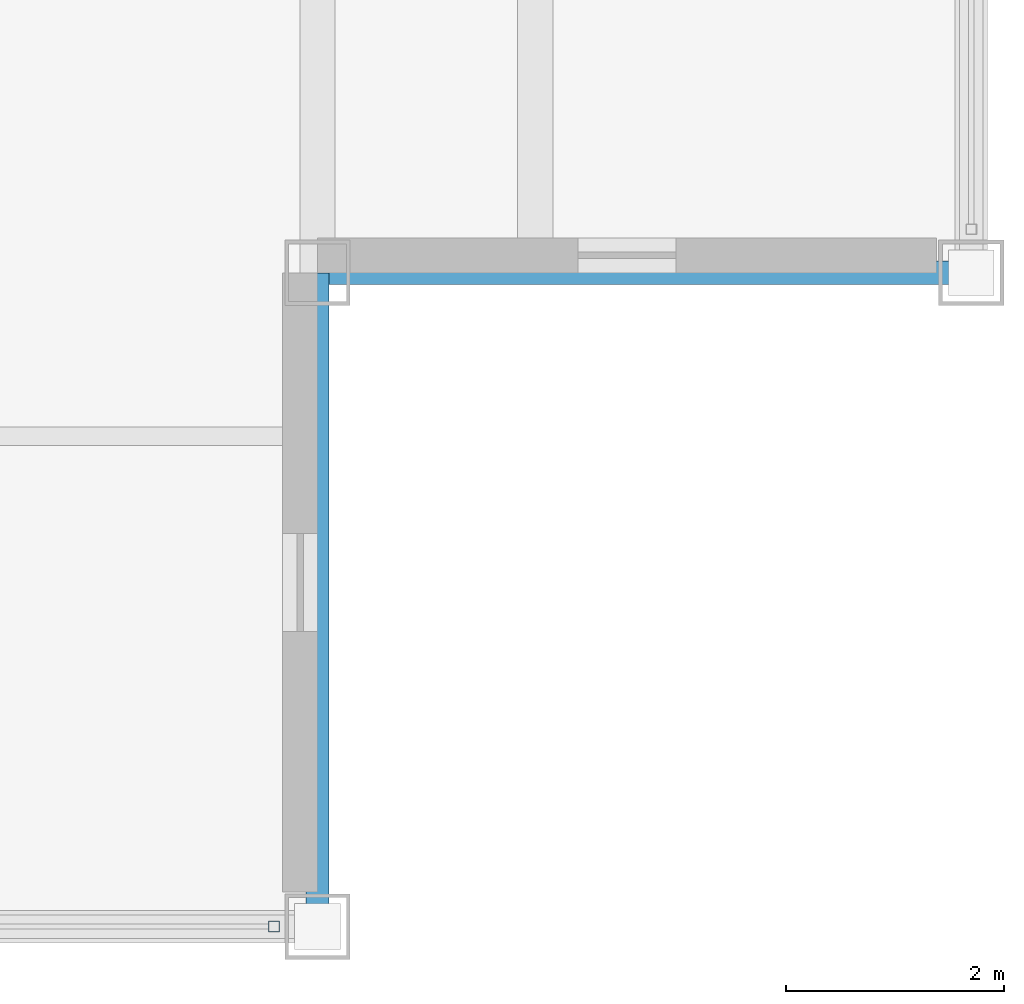
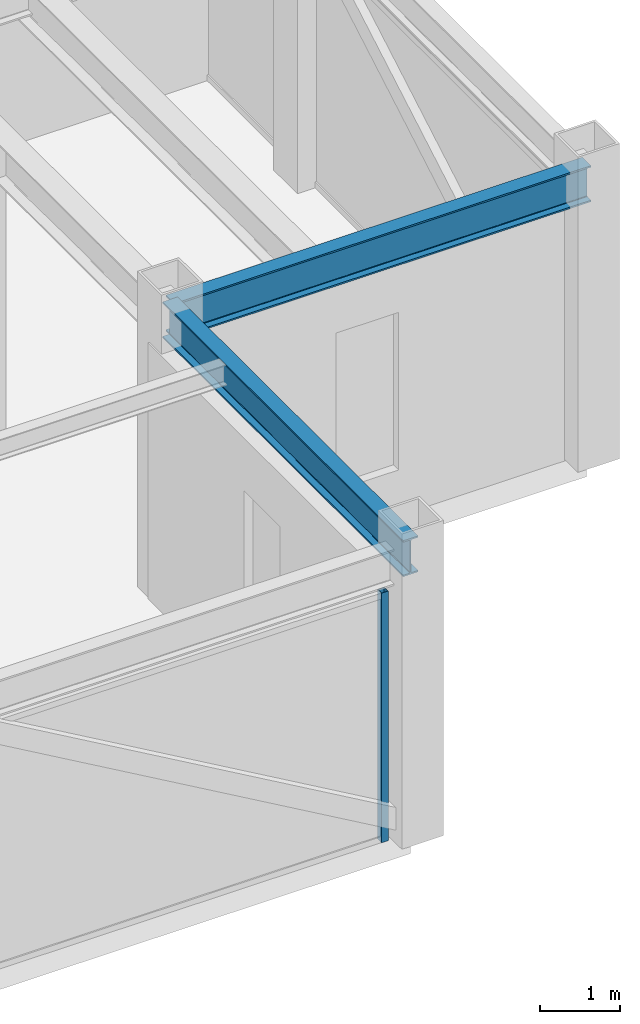
# One storey, part 8 of 27: 2 beams, 1 member, 1 element without a shape of its own.
"""IFC4 building model written with IfcOpenShell, lengths in metres."""

from ifc_helpers import new_model, si_unit, direction, frame, origin, origin_2d, place, context, subcontext, project, spatial, hollow_rectangle, i_section, extrude, source, transform, mapped, material, material_profile, profile_set, type_object, element, aggregate, save


model = new_model("IFC4")

# Units and contexts
model_context = context("Model", 3, precision=1e-05, world=origin(), true_north=direction((0.0, 1.0)))
body_context = subcontext(model_context, "Body", "Model", "MODEL_VIEW")
ifc_project = project(units=[si_unit("LENGTHUNIT", "METRE"), si_unit("AREAUNIT", "SQUARE_METRE"), si_unit("VOLUMEUNIT", "CUBIC_METRE"), si_unit("PLANEANGLEUNIT", "RADIAN"), si_unit("MASSUNIT", "GRAM", prefix="KILO")], contexts=[model_context])

# Site, building, storey
site_placement = place(None, origin())
site = spatial("IfcSite", under=ifc_project, at=site_placement, CompositionType="ELEMENT")
building_placement = place(site_placement, origin())
building = spatial("IfcBuilding", under=site, at=building_placement, Name="Khorayat Bourse Tower", CompositionType="ELEMENT")
storey_placement = place(building_placement, frame((0.0, 0.0, 394.699951171875)))
storey = spatial("IfcBuildingStorey", under=building, at=storey_placement, Name="L93", CompositionType="ELEMENT", Elevation=394.699951171875)

# Beams
ifc_material_1 = material(Name="Steel ASTM A992 Grade 50", Category="steel")
ifc_material_profile_1 = material_profile(ifc_material_1, i_section(OverallWidth=0.214111328125, OverallDepth=0.549072265625, WebThickness=0.0146484375, FlangeThickness=0.023681640625, FilletRadius=0.013916015625, at=origin_2d()), Name="W530X138")
ifc_profile_set_1 = profile_set([ifc_material_profile_1], Name="Steel ASTM A992 Grade 50")
beam_type = type_object("IfcBeamType", Name="BM-SPAN-530", PredefinedType="SPANDREL", material=ifc_profile_set_1)
shared_shape_1 = source(origin(), body_context, "Body", "SweptSolid", [
    extrude(i_section(OverallWidth=0.214111328125, OverallDepth=0.549072265625, WebThickness=0.0146484375, FlangeThickness=0.023681640625, FilletRadius=0.013916015625, at=origin_2d()), origin(), (0.0, 0.0, 1.0), 6.0),
])
for number, where, z_axis, x_axis, name in (
    (1, (18.0, -24.0, 4.175537109375), (0.0, 1.0, 0.0), (-1.0, 0.0, 0.0), "L93 BM-SPAN-530 BM-L93-SPN-030"),
    (2, (18.0, -18.0, 4.175537109375), (1.0, 0.0, 0.0), (0.0, 1.0, 0.0), "L93 BM-SPAN-530 BM-L93-SPN-031"),
):
    element("IfcBeam", number, at=place(storey_placement, frame(where, z_axis=z_axis, x_axis=x_axis)), inside=storey, type_object=beam_type, Name=name, PredefinedType="SPANDREL", context=body_context, shape_type="MappedRepresentation", body=[
        mapped(shared_shape_1, transform((0.0, 0.0, 0.0), scale=1.0)),
    ])

# Curtain wall, member
ifc_material_2 = material(Name="Aluminium EN AW-6063 T6", Category="aluminium")
curtain_wall_type = type_object("IfcCurtainWallType", Name="CW-SYS-07", PredefinedType="NOTDEFINED", material=ifc_material_2)
curtain_wall_placement = place(storey_placement, origin())
curtain_wall = element("IfcCurtainWall", 3, at=curtain_wall_placement, inside=storey, type_object=curtain_wall_type, Name="L93 Curtain Wall CW-L93-S1", PredefinedType="NOTDEFINED")
ifc_material_profile_2 = material_profile(ifc_material_2, hollow_rectangle(XDim=0.10009765625, YDim=0.10009765625, WallThickness=0.0048828125, at=origin_2d()), Name="ALU 100x100x5")
ifc_profile_set_2 = profile_set([ifc_material_profile_2], Name="Aluminium EN AW-6063 T6")
member_type = type_object("IfcMemberType", Name="CWM-LANTERN-100", PredefinedType="MULLION", material=ifc_profile_set_2)
shared_shape_2 = source(origin(), body_context, "Body", "SweptSolid", [
    extrude(hollow_rectangle(XDim=0.10009765625, YDim=0.10009765625, WallThickness=0.0048828125, at=origin_2d()), origin(), (0.0, 0.0, 1.0), 3.800048828125),
])
member_placement = place(storey_placement, frame((17.60009765625, -24.0, 0.0), z_axis=(0.0, 0.0, 1.0), x_axis=(0.0, 1.0, 0.0)))
member = element("IfcMember", 4, at=member_placement, type_object=member_type, Name="CW-L93-S1 Vertical Mullion 3", PredefinedType="MULLION", context=body_context, shape_type="MappedRepresentation", body=[
    mapped(shared_shape_2, transform((0.0, 0.0, 0.0), scale=1.0)),
])
aggregate(curtain_wall, [member])

save(model, "model.ifc")
